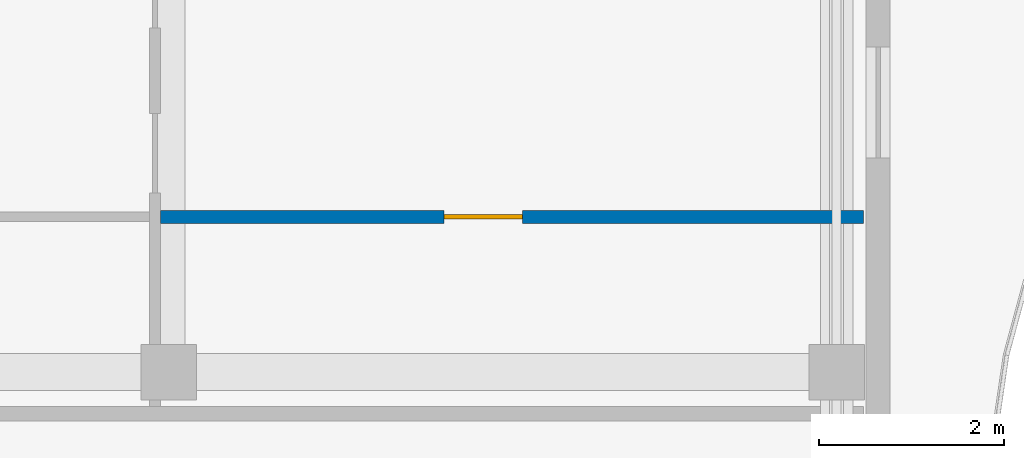
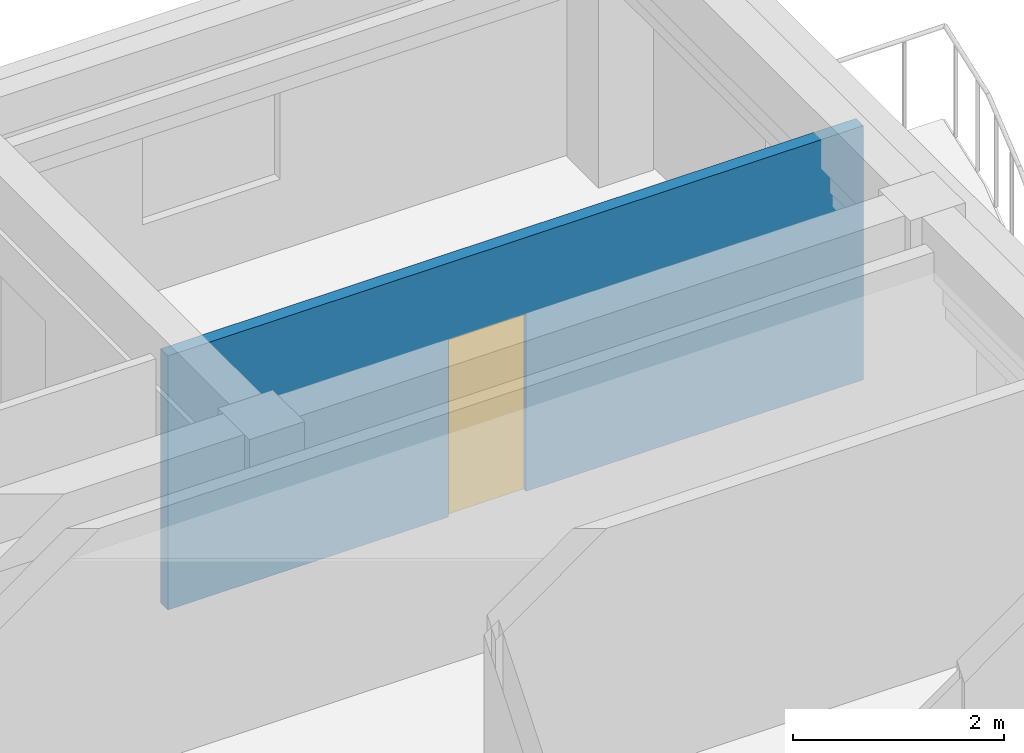
# One storey, part 46 of 72: 1 door, 1 wall, 1 opening.
"""IFC4 building model written with IfcOpenShell, lengths in metres."""

from ifc_helpers import new_model, si_unit, direction, frame, frame_2d, origin, place, context, subcontext, project, spatial, rectangle, extrude, material, layer, layer_set, type_object, element, fill, save


model = new_model("IFC4")

# Units and contexts
model_context = context("Model", 3, precision=1e-05, world=origin(), true_north=direction((0.0, 1.0)))
body_context = subcontext(model_context, "Body", "Model", "MODEL_VIEW")
ifc_project = project(units=[si_unit("LENGTHUNIT", "METRE"), si_unit("AREAUNIT", "SQUARE_METRE"), si_unit("VOLUMEUNIT", "CUBIC_METRE"), si_unit("PLANEANGLEUNIT", "RADIAN"), si_unit("MASSUNIT", "GRAM", prefix="KILO")], contexts=[model_context])

# Site, building, storey
site_placement = place(None, origin())
site = spatial("IfcSite", under=ifc_project, at=site_placement, CompositionType="ELEMENT")
building_placement = place(site_placement, origin())
building = spatial("IfcBuilding", under=site, at=building_placement, Name="Keldmere Railside Commons", CompositionType="ELEMENT")
storey_placement = place(building_placement, frame((0.0, 0.0, 16.9599609375)))
storey = spatial("IfcBuildingStorey", under=building, at=storey_placement, Name="L05", CompositionType="ELEMENT", Elevation=16.9599609375)

# Wall, opening, door
ifc_material_1 = material(Name="Acoustic Gypsum Board Partition", Category="gypsum")
ifc_layer = layer(ifc_material_1, 0.139892578125, Name="Wet-Room Sanitary Partition 140")
ifc_layer_set = layer_set([ifc_layer], Name="Acoustic Gypsum Board Partition")
wall_type = type_object("IfcWallType", Name="Wet-Room Sanitary Partition 140", PredefinedType="PARTITIONING", material=ifc_layer_set)
wall_placement = place(storey_placement, frame((176.239990234375, 111.330078125, 0.0), z_axis=(0.0, 0.0, 1.0), x_axis=(1.0, 0.0, 0.0)))
wall = element("IfcWall", 1, at=wall_placement, inside=storey, type_object=wall_type, Name="IW-5 IW-L05-1626", PredefinedType="PARTITIONING", context=body_context, shape_type="SweptSolid", body=[
    extrude(rectangle(XDim=7.60009765625, YDim=0.139892578125, at=frame_2d((3.800048828125, 0.0))), origin(), (0.0, 0.0, 1.0), 2.93505859375),
])
opening_placement = place(wall_placement, frame((3.06396484375, 0.0, 0.0)))
opening = element("IfcOpeningElement", 2, at=opening_placement, cuts=wall, Name="Opening ID-06", PredefinedType="OPENING", context=body_context, shape_type="SweptSolid", body=[
    extrude(rectangle(XDim=0.85009765625, YDim=2.050048828125, at=frame_2d((0.425048828125, 1.02490234375))), frame((0.0, 0.079833984375, 0.0), z_axis=(0.0, -1.0, 0.0), x_axis=(1.0, 0.0, 0.0)), (0.0, 0.0, 1.0), 0.159912109375),
])
ifc_material_2 = material(Name="Engineered Oak Timber", Category="wood")
door_type = type_object("IfcDoorType", Name="Storage Closet Door 850x2050", OperationType="NOTDEFINED", PredefinedType="DOOR", material=ifc_material_2)
door_placement = place(opening_placement, origin())
door = element("IfcDoor", 3, at=door_placement, inside=storey, type_object=door_type, Name="ID-06 IDR-L05-1475", OperationType="SINGLE_SWING_LEFT", OverallHeight=2.050048828125, OverallWidth=0.85009765625, PredefinedType="DOOR", context=body_context, shape_type="SweptSolid", body=[
    extrude(rectangle(XDim=0.85009765625, YDim=2.050048828125, at=frame_2d((0.425048828125, 1.02490234375))), frame((0.0, 0.02490234375, 0.0), z_axis=(0.0, -1.0, 0.0), x_axis=(1.0, 0.0, 0.0)), (0.0, 0.0, 1.0), 0.050048828125),
])
fill(opening, door)

save(model, "model.ifc")
